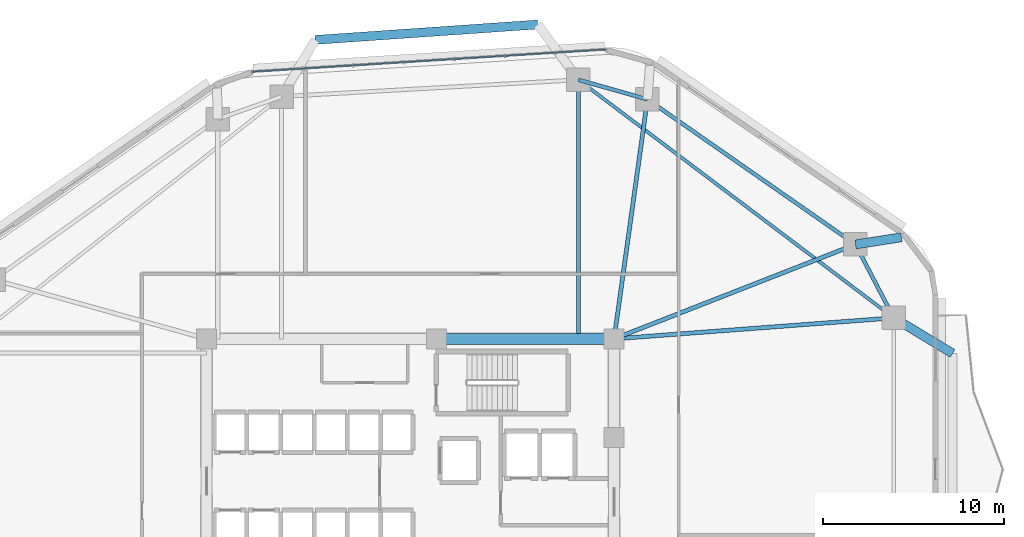
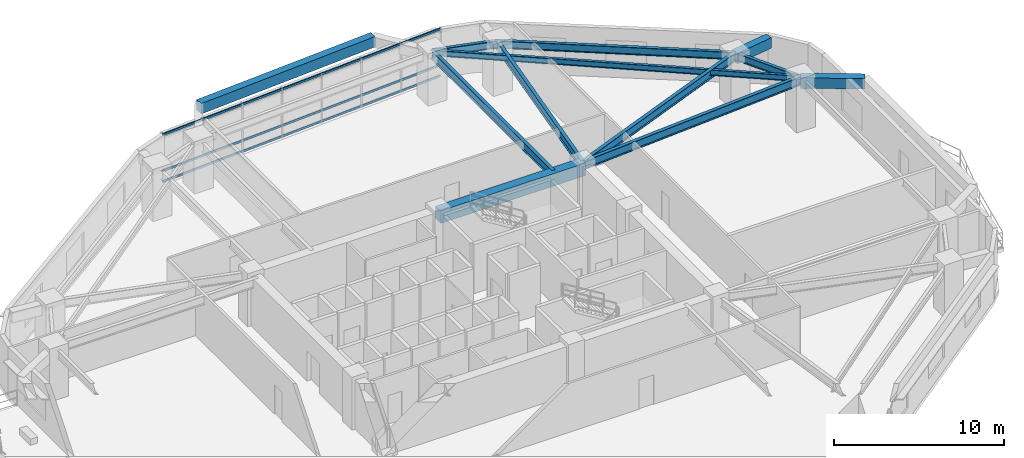
# One storey, part 3 of 11: 12 beams, 3 members, 1 element without a shape of its own.
"""IFC4 building model written with IfcOpenShell, lengths in metres."""

from ifc_helpers import new_model, si_unit, direction, frame, origin, origin_2d, place, context, subcontext, project, spatial, rectangle, hollow_rectangle, i_section, extrude, material, material_profile, profile_set, type_object, element, aggregate, save


model = new_model("IFC4")

# Units and contexts
model_context = context("Model", 3, precision=1e-05, world=origin(), true_north=direction((0.0, 1.0)))
body_context = subcontext(model_context, "Body", "Model", "MODEL_VIEW")
ifc_project = project(units=[si_unit("LENGTHUNIT", "METRE"), si_unit("AREAUNIT", "SQUARE_METRE"), si_unit("VOLUMEUNIT", "CUBIC_METRE"), si_unit("PLANEANGLEUNIT", "RADIAN"), si_unit("MASSUNIT", "GRAM", prefix="KILO")], contexts=[model_context])

# Site, building, storey
site_placement = place(None, origin())
site = spatial("IfcSite", under=ifc_project, at=site_placement, CompositionType="ELEMENT")
building_placement = place(site_placement, origin())
building = spatial("IfcBuilding", under=site, at=building_placement, Name="Zulverin Broadcast Headquarters", CompositionType="ELEMENT")
storey_placement = place(building_placement, frame((0.0, 0.0, 78.199951171875)))
storey = spatial("IfcBuildingStorey", under=building, at=storey_placement, Name="L19", CompositionType="ELEMENT", Elevation=78.199951171875)

# Beams
ifc_material_1 = material(Name="Concrete C60/75", Category="concrete")
ifc_material_profile_1 = material_profile(ifc_material_1, rectangle(XDim=0.60009765625, YDim=0.89990234375, at=origin_2d()), Name="Concrete C60/75", Category="concrete")
ifc_profile_set_1 = profile_set([ifc_material_profile_1], Name="Concrete C60/75")
beam_type_1 = type_object("IfcBeamType", Name="BM-CB-600x900", PredefinedType="LINTEL", material=ifc_profile_set_1)
beam_1_placement = place(storey_placement, frame((48.27490234375, 33.074951171875, 3.074951171875), z_axis=(-1.0, 0.0, 0.0), x_axis=(0.0, -1.0, 0.0)))
element("IfcBeam", 1, at=beam_1_placement, inside=storey, type_object=beam_type_1, Name="L19 Core Coupling Girder K05-K06", PredefinedType="LINTEL", context=body_context, shape_type="SweptSolid", body=[
    extrude(rectangle(XDim=0.60009765625, YDim=0.89990234375, at=origin_2d()), origin(), (0.0, 0.0, 1.0), 9.824951171875),
])
ifc_material_2 = material(Name="Concrete C40/50", Category="concrete")
ifc_material_profile_2 = material_profile(ifc_material_2, rectangle(XDim=0.5, YDim=0.75, at=origin_2d()), Name="Concrete C40/50", Category="concrete")
ifc_profile_set_2 = profile_set([ifc_material_profile_2], Name="Concrete C40/50")
beam_type_2 = type_object("IfcBeamType", Name="BM-RC-500x750", PredefinedType="BEAM", material=ifc_profile_set_2)
beam_2_placement = place(storey_placement, frame((61.630126953125, 38.298583984375, 3.150146484375), z_axis=(0.988133444256, 0.153597839639, 0.0), x_axis=(-0.153597839639, 0.988133444256, 0.0)))
element("IfcBeam", 2, at=beam_2_placement, inside=storey, type_object=beam_type_2, Name="L20 Plate Overhang Back-Spanned Beam OVR-07", PredefinedType="BEAM", context=body_context, shape_type="SweptSolid", body=[
    extrude(rectangle(XDim=0.5, YDim=0.75, at=origin_2d()), origin(), (0.0, 0.0, 1.0), 2.57177734375),
])
beam_3_placement = place(storey_placement, frame((63.75, 34.235107421875, 3.150146484375), z_axis=(0.855593685746, -0.517647993246, 0.0), x_axis=(0.517647993246, 0.855593685746, 0.0)))
element("IfcBeam", 3, at=beam_3_placement, inside=storey, type_object=beam_type_2, Name="L20 Balcony Column-Framed Cantilever BAL_E-2", PredefinedType="BEAM", context=body_context, shape_type="SweptSolid", body=[
    extrude(rectangle(XDim=0.5, YDim=0.75, at=origin_2d()), origin(), (0.0, 0.0, 1.0), 3.800048828125),
])
beam_4_placement = place(storey_placement, frame((44.049072265625, 50.46923828125, 3.150146484375), z_axis=(-0.997616354187, -0.069004419129, 0.0), x_axis=(0.069004419129, -0.997616354187, 0.0)))
element("IfcBeam", 4, at=beam_4_placement, inside=storey, type_object=beam_type_2, Name="L20 Balcony Outer Edge Trimmer Beam BAL_N", PredefinedType="BEAM", context=body_context, shape_type="SweptSolid", body=[
    extrude(rectangle(XDim=0.5, YDim=0.75, at=origin_2d()), origin(), (0.0, 0.0, 1.0), 12.340576171875),
])
ifc_material_3 = material(Name="Structural steel S355JR", Category="steel")
ifc_material_profile_3 = material_profile(ifc_material_3, i_section(OverallWidth=0.179443359375, OverallDepth=0.412841796875, WebThickness=0.009521484375, FlangeThickness=0.01611328125, at=origin_2d()), Name="Structural steel S355JR", Category="steel")
ifc_profile_set_3 = profile_set([ifc_material_profile_3], Name="Structural steel S355JR")
beam_type_3 = type_object("IfcBeamType", Name="BM-UB-406", PredefinedType="JOIST", material=ifc_profile_set_3)
beam_5_placement = place(storey_placement, frame((63.75, 34.235107421875, 3.318603515625), z_axis=(-0.798058136838, 0.602580459546, 0.0), x_axis=(-0.602580459546, -0.798058136838, 0.0)))
element("IfcBeam", 5, at=beam_5_placement, inside=storey, type_object=beam_type_3, Name="L19 Chordal Floor Joist J-02", PredefinedType="JOIST", context=body_context, shape_type="SweptSolid", body=[
    extrude(i_section(OverallWidth=0.179443359375, OverallDepth=0.412841796875, WebThickness=0.009521484375, FlangeThickness=0.01611328125, at=origin_2d()), origin(), (0.0, 0.0, 1.0), 21.86279296875),
])
ifc_material_profile_4 = material_profile(ifc_material_3, i_section(OverallWidth=0.2119140625, OverallDepth=0.54443359375, WebThickness=0.0126953125, FlangeThickness=0.021240234375, at=origin_2d()), Name="Structural steel S355JR", Category="steel")
ifc_profile_set_4 = profile_set([ifc_material_profile_4], Name="Structural steel S355JR")
beam_type_4 = type_object("IfcBeamType", Name="BM-UB-533", PredefinedType="SPANDREL", material=ifc_profile_set_4)
beam_6_placement = place(storey_placement, frame((63.75, 34.235107421875, 3.252685546875), z_axis=(-0.462531417359, 0.886602891917, 0.0), x_axis=(-0.886602891917, -0.462531417359, 0.0)))
element("IfcBeam", 6, at=beam_6_placement, inside=storey, type_object=beam_type_4, Name="L19 Perimeter Spandrel Beam SP-06", PredefinedType="SPANDREL", context=body_context, shape_type="SweptSolid", body=[
    extrude(i_section(OverallWidth=0.2119140625, OverallDepth=0.54443359375, WebThickness=0.0126953125, FlangeThickness=0.021240234375, at=origin_2d()), origin(), (0.0, 0.0, 1.0), 4.583251953125),
])
beam_7_placement = place(storey_placement, frame((61.630126953125, 38.298583984375, 3.252685546875), z_axis=(-0.820183915206, 0.5720999434, 0.0), x_axis=(-0.5720999434, -0.820183915206, 0.0)))
element("IfcBeam", 7, at=beam_7_placement, inside=storey, type_object=beam_type_4, Name="L19 Perimeter Spandrel Beam SP-07", PredefinedType="SPANDREL", context=body_context, shape_type="SweptSolid", body=[
    extrude(i_section(OverallWidth=0.2119140625, OverallDepth=0.54443359375, WebThickness=0.0126953125, FlangeThickness=0.021240234375, at=origin_2d()), origin(), (0.0, 0.0, 1.0), 14.03125),
])
beam_8_placement = place(storey_placement, frame((50.121826171875, 46.325927734375, 3.252685546875), z_axis=(-0.962058150721, 0.272844487999, 0.0), x_axis=(-0.272844487999, -0.962058150721, 0.0)))
element("IfcBeam", 8, at=beam_8_placement, inside=storey, type_object=beam_type_4, Name="L19 Perimeter Spandrel Beam SP-08", PredefinedType="SPANDREL", context=body_context, shape_type="SweptSolid", body=[
    extrude(i_section(OverallWidth=0.2119140625, OverallDepth=0.54443359375, WebThickness=0.0126953125, FlangeThickness=0.021240234375, at=origin_2d()), origin(), (0.0, 0.0, 1.0), 3.97021484375),
])
ifc_material_profile_5 = material_profile(ifc_material_3, i_section(OverallWidth=0.230224609375, OverallDepth=0.6171875, WebThickness=0.01318359375, FlangeThickness=0.022216796875, at=origin_2d()), Name="Structural steel S355JR", Category="steel")
ifc_profile_set_5 = profile_set([ifc_material_profile_5], Name="Structural steel S355JR")
beam_type_5 = type_object("IfcBeamType", Name="BM-UB-610", PredefinedType="BEAM", material=ifc_profile_set_5)
beam_9_placement = place(storey_placement, frame((48.27490234375, 33.074951171875, 3.216552734375), z_axis=(0.997201597387, 0.074759442003, 0.0), x_axis=(-0.074759442003, 0.997201597387, 0.0)))
element("IfcBeam", 9, at=beam_9_placement, inside=storey, type_object=beam_type_5, Name="L19 Radial Primary Floor Beam RB-06", PredefinedType="BEAM", context=body_context, shape_type="SweptSolid", body=[
    extrude(i_section(OverallWidth=0.230224609375, OverallDepth=0.6171875, WebThickness=0.01318359375, FlangeThickness=0.022216796875, at=origin_2d()), origin(), (0.0, 0.0, 1.0), 15.5185546875),
])
beam_10_placement = place(storey_placement, frame((48.27490234375, 33.074951171875, 3.216552734375), z_axis=(0.931297778153, 0.364258765723, 0.0), x_axis=(-0.364258765723, 0.931297778153, 0.0)))
element("IfcBeam", 10, at=beam_10_placement, inside=storey, type_object=beam_type_5, Name="L19 Radial Primary Floor Beam RB-07", PredefinedType="BEAM", context=body_context, shape_type="SweptSolid", body=[
    extrude(i_section(OverallWidth=0.230224609375, OverallDepth=0.6171875, WebThickness=0.01318359375, FlangeThickness=0.022216796875, at=origin_2d()), origin(), (0.0, 0.0, 1.0), 14.34033203125),
])
beam_11_placement = place(storey_placement, frame((48.27490234375, 33.074951171875, 3.216552734375), z_axis=(0.138045758193, 0.990425852169, 0.0), x_axis=(-0.990425852169, 0.138045758193, 0.0)))
element("IfcBeam", 11, at=beam_11_placement, inside=storey, type_object=beam_type_5, Name="L19 Radial Primary Floor Beam RB-08", PredefinedType="BEAM", context=body_context, shape_type="SweptSolid", body=[
    extrude(i_section(OverallWidth=0.230224609375, OverallDepth=0.6171875, WebThickness=0.01318359375, FlangeThickness=0.022216796875, at=origin_2d()), origin(), (0.0, 0.0, 1.0), 13.379150390625),
])
beam_12_placement = place(storey_placement, frame((46.30224609375, 33.074951171875, 3.216552734375), z_axis=(0.0, 1.0, 0.0), x_axis=(-1.0, 0.0, 0.0)))
element("IfcBeam", 12, at=beam_12_placement, inside=storey, type_object=beam_type_5, Name="L19 Radial Primary Floor Beam RB-09", PredefinedType="BEAM", context=body_context, shape_type="SweptSolid", body=[
    extrude(i_section(OverallWidth=0.230224609375, OverallDepth=0.6171875, WebThickness=0.01318359375, FlangeThickness=0.022216796875, at=origin_2d()), origin(), (0.0, 0.0, 1.0), 14.334228515625),
])

# Curtain wall, members
ifc_material_4 = material(Name="Low-zone ribbon unitised curtain wall", Category="aluminium")
curtain_wall_type = type_object("IfcCurtainWallType", Name="CW-TWR-LOW", PredefinedType="USERDEFINED", material=ifc_material_4)
curtain_wall_placement = place(storey_placement, origin())
curtain_wall = element("IfcCurtainWall", 13, at=curtain_wall_placement, inside=storey, type_object=curtain_wall_type, Name="L19 Unitised Curtain Wall CW-L19-E5", ObjectType="UNITISED CURTAIN WALL", PredefinedType="USERDEFINED")
ifc_material_5 = material(Name="Anodized pale-metal aluminium alloy 6063-T6", Category="aluminium")
ifc_material_profile_6 = material_profile(ifc_material_5, hollow_rectangle(XDim=0.074951171875, YDim=0.14990234375, WallThickness=0.0048828125, at=origin_2d()), Name="Anodized pale-metal aluminium alloy 6063-T6", Category="aluminium")
ifc_profile_set_6 = profile_set([ifc_material_profile_6], Name="Anodized pale-metal aluminium alloy 6063-T6")
member_type = type_object("IfcMemberType", Name="CW-TRN-150", PredefinedType="USERDEFINED", material=ifc_profile_set_6)
member_1_placement = place(storey_placement, frame((47.83056640625, 49.08935546875, 0.074951171875), z_axis=(-0.998017725054, -0.062933460723, 0.0), x_axis=(0.062933460723, -0.998017725054, 0.0)))
member_1 = element("IfcMember", 14, at=member_1_placement, type_object=member_type, Name="CW-L19-E5 Transom 0", ObjectType="TRANSOM", PredefinedType="USERDEFINED", context=body_context, shape_type="SweptSolid", body=[
    extrude(hollow_rectangle(XDim=0.074951171875, YDim=0.14990234375, WallThickness=0.0048828125, at=origin_2d()), origin(), (0.0, 0.0, 1.0), 19.62939453125),
])
member_2_placement = place(storey_placement, frame((47.83056640625, 49.08935546875, 0.845947265625), z_axis=(-0.998017725054, -0.062933460723, 0.0), x_axis=(0.062933460723, -0.998017725054, 0.0)))
member_2 = element("IfcMember", 15, at=member_2_placement, type_object=member_type, Name="CW-L19-E5 Transom 1", ObjectType="TRANSOM", PredefinedType="USERDEFINED", context=body_context, shape_type="SweptSolid", body=[
    extrude(hollow_rectangle(XDim=0.074951171875, YDim=0.14990234375, WallThickness=0.0048828125, at=origin_2d()), origin(), (0.0, 0.0, 1.0), 19.62939453125),
])
member_3_placement = place(storey_placement, frame((47.83056640625, 49.08935546875, 3.449951171875), z_axis=(-0.998017725054, -0.062933460723, 0.0), x_axis=(0.062933460723, -0.998017725054, 0.0)))
member_3 = element("IfcMember", 16, at=member_3_placement, type_object=member_type, Name="CW-L19-E5 Transom 2", ObjectType="TRANSOM", PredefinedType="USERDEFINED", context=body_context, shape_type="SweptSolid", body=[
    extrude(hollow_rectangle(XDim=0.074951171875, YDim=0.14990234375, WallThickness=0.0048828125, at=origin_2d()), origin(), (0.0, 0.0, 1.0), 19.62939453125),
])
aggregate(curtain_wall, [member_1, member_2, member_3])

save(model, "model.ifc")
